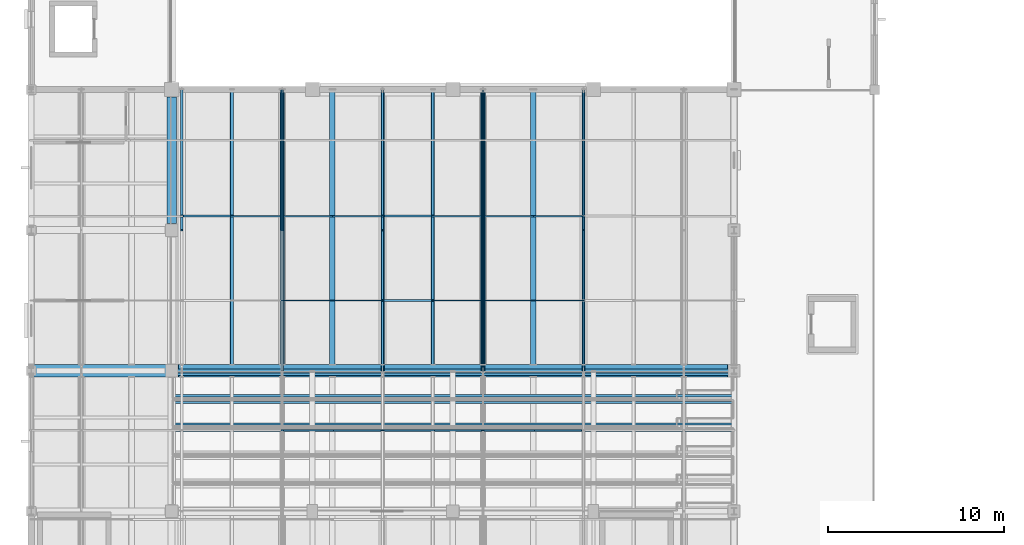
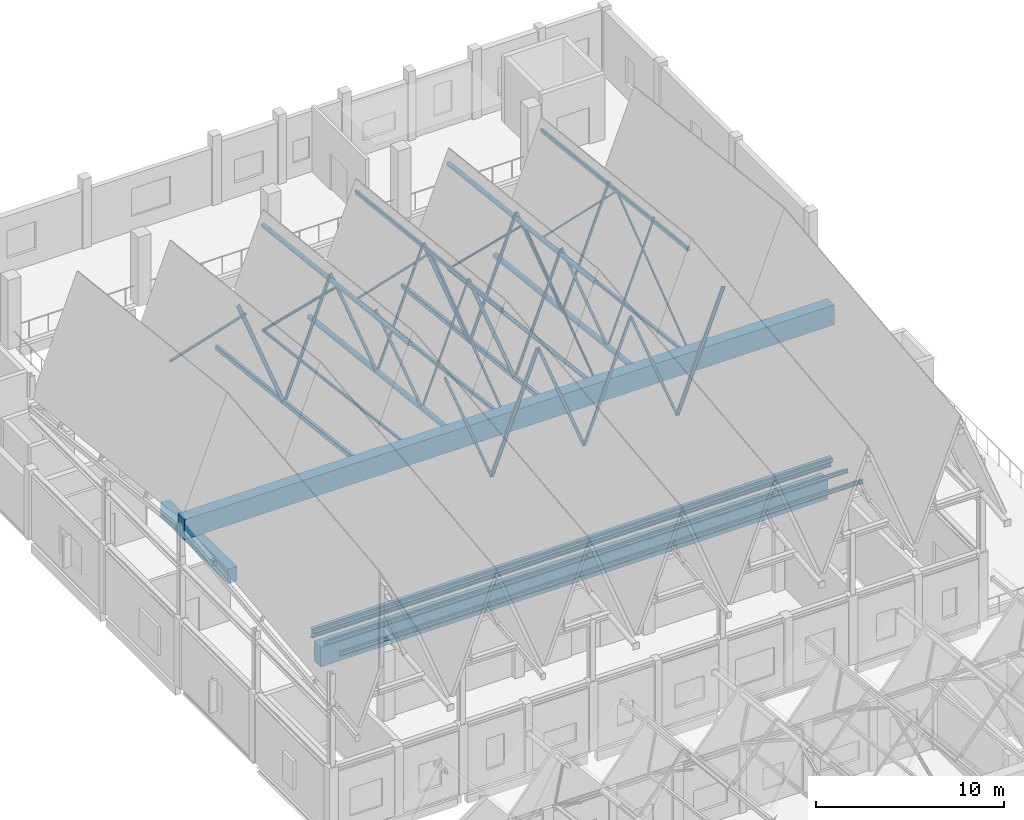
# One storey, part 17 of 77: 32 members, 17 beams.
"""IFC4 building model written with IfcOpenShell, lengths in metres."""

from ifc_helpers import new_model, si_unit, direction, frame, origin, origin_2d, place, context, subcontext, project, spatial, rectangle, hollow_rectangle, hollow_circle, i_section, extrude, material, material_profile, profile_set, type_object, element, save


model = new_model("IFC4")

# Units and contexts
model_context = context("Model", 3, precision=1e-05, world=origin(), true_north=direction((0.0, 1.0)))
body_context = subcontext(model_context, "Body", "Model", "MODEL_VIEW")
ifc_project = project(units=[si_unit("LENGTHUNIT", "METRE"), si_unit("AREAUNIT", "SQUARE_METRE"), si_unit("VOLUMEUNIT", "CUBIC_METRE"), si_unit("PLANEANGLEUNIT", "RADIAN"), si_unit("MASSUNIT", "GRAM", prefix="KILO")], contexts=[model_context])

# Site, building, storey
site_placement = place(None, origin())
site = spatial("IfcSite", under=ifc_project, at=site_placement, CompositionType="ELEMENT")
building_placement = place(site_placement, origin())
building = spatial("IfcBuilding", under=site, at=building_placement, Name="Luwemba Playhouse", CompositionType="ELEMENT")
storey_placement = place(building_placement, frame((0.0, 0.0, 9.300048828125)))
storey = spatial("IfcBuildingStorey", under=building, at=storey_placement, Name="L02", CompositionType="ELEMENT", Elevation=9.300048828125)

# Beams
ifc_material_1 = material(Name="Concrete C40/50", Category="concrete")
ifc_material_profile_1 = material_profile(ifc_material_1, rectangle(XDim=0.550048828125, YDim=0.949951171875, at=origin_2d()))
ifc_profile_set_1 = profile_set([ifc_material_profile_1], Name="Concrete C40/50")
beam_type_1 = type_object("IfcBeamType", Name="BM-RB08", PredefinedType="BEAM", material=ifc_profile_set_1)
beam_1_placement = place(storey_placement, frame((12.0, 60.375, -0.72509765625), z_axis=(0.0, 1.0, 0.0), x_axis=(-1.0, 0.0, 0.0)))
element("IfcBeam", 1, at=beam_1_placement, inside=storey, type_object=beam_type_1, Name="L02 transverse girder 0661", PredefinedType="BEAM", context=body_context, shape_type="SweptSolid", body=[
    extrude(rectangle(XDim=0.550048828125, YDim=0.949951171875, at=origin_2d()), origin(), (0.0, 0.0, 1.0), 7.199951171875),
])
ifc_material_profile_2 = material_profile(ifc_material_1, rectangle(XDim=0.699951171875, YDim=1.300048828125, at=origin_2d()))
ifc_profile_set_2 = profile_set([ifc_material_profile_2], Name="Concrete C40/50")
beam_type_2 = type_object("IfcBeamType", Name="BM-RB12", PredefinedType="BEAM", material=ifc_profile_set_2)
beam_2_placement = place(storey_placement, frame((12.375, 52.0, -0.900146484375), z_axis=(1.0, 0.0, 0.0), x_axis=(0.0, 1.0, 0.0)))
element("IfcBeam", 2, at=beam_2_placement, inside=storey, type_object=beam_type_2, Name="L02 grid girder 0651", PredefinedType="BEAM", context=body_context, shape_type="SweptSolid", body=[
    extrude(rectangle(XDim=0.699951171875, YDim=1.300048828125, at=origin_2d()), origin(), (0.0, 0.0, 1.0), 31.25),
])
beam_3_placement = place(storey_placement, frame((4.0, 52.0, 10.314697265625), z_axis=(1.0, 0.0, 0.0), x_axis=(0.0, 1.0, 0.0)))
element("IfcBeam", 3, at=beam_3_placement, inside=storey, type_object=beam_type_2, Name="RF-V1 central ridge spine girder 0021", PredefinedType="BEAM", context=body_context, shape_type="SweptSolid", body=[
    extrude(rectangle(XDim=0.699951171875, YDim=1.300048828125, at=origin_2d()), origin(), (0.0, 0.0, 1.0), 40.0),
])
ifc_material_2 = material(Name="Steel S355", Category="steel")
ifc_material_profile_3 = material_profile(ifc_material_2, hollow_rectangle(XDim=0.14990234375, YDim=0.25, WallThickness=0.010009765625, InnerFilletRadius=0.014892578125, OuterFilletRadius=0.02490234375, at=origin_2d()))
ifc_profile_set_3 = profile_set([ifc_material_profile_3], Name="Steel S355")
beam_type_3 = type_object("IfcBeamType", Name="BM-RTG1", PredefinedType="USERDEFINED", material=ifc_profile_set_3)
for number, where, z_axis, x_axis, name in (
    (4, (24.0, 52.35009765625, 17.16748046875), (0.0, 0.993768247759, -0.111466002643), (-1.0, 0.0, 0.0), "ROOF TRUSS ridge girder 0037"),
    (5, (35.4287109375, 52.35009765625, 17.16748046875), (0.0, 0.993768247759, -0.111466002643), (-1.0, 0.0, 0.0), "ROOF TRUSS ridge girder 0045"),
):
    element("IfcBeam", number, at=place(storey_placement, frame(where, z_axis=z_axis, x_axis=x_axis)), inside=storey, type_object=beam_type_3, Name=name, ObjectType="ROOF TRUSS", PredefinedType="USERDEFINED", context=body_context, shape_type="SweptSolid", body=[
        extrude(hollow_rectangle(XDim=0.14990234375, YDim=0.25, WallThickness=0.010009765625, InnerFilletRadius=0.014892578125, OuterFilletRadius=0.02490234375, at=origin_2d()), origin(), (0.0, 0.0, 1.0), 15.748046875),
    ])
ifc_material_profile_4 = material_profile(ifc_material_2, hollow_rectangle(XDim=0.199951171875, YDim=0.300048828125, WallThickness=0.012451171875, InnerFilletRadius=0.018798828125, OuterFilletRadius=0.03125, at=origin_2d()))
ifc_profile_set_4 = profile_set([ifc_material_profile_4], Name="Steel S355")
beam_type_4 = type_object("IfcBeamType", Name="BM-RTG2", PredefinedType="USERDEFINED", material=ifc_profile_set_4)
for number, where, z_axis, x_axis, name in (
    (6, (15.4287109375, 52.35009765625, 10.04541015625), (0.0, 0.993768247759, -0.111466002643), (-1.0, 0.0, 0.0), "ROOF TRUSS valley girder 0031"),
    (7, (26.857177734375, 52.35009765625, 10.045166015625), (0.0, 0.993768247759, -0.111466002643), (-1.0, 0.0, 0.0), "ROOF TRUSS valley girder 0039"),
):
    element("IfcBeam", number, at=place(storey_placement, frame(where, z_axis=z_axis, x_axis=x_axis)), inside=storey, type_object=beam_type_4, Name=name, ObjectType="ROOF TRUSS", PredefinedType="USERDEFINED", context=body_context, shape_type="SweptSolid", body=[
        extrude(hollow_rectangle(XDim=0.199951171875, YDim=0.300048828125, WallThickness=0.012451171875, InnerFilletRadius=0.018798828125, OuterFilletRadius=0.03125, at=origin_2d()), origin(), (0.0, 0.0, 1.0), 15.748046875),
    ])
ifc_material_profile_5 = material_profile(ifc_material_2, hollow_circle(Radius=0.136474609375, WallThickness=0.012451171875, at=origin_2d()))
ifc_profile_set_5 = profile_set([ifc_material_profile_5], Name="Steel S355")
beam_type_5 = type_object("IfcBeamType", Name="BM-RTG3", PredefinedType="USERDEFINED", material=ifc_profile_set_5)
for number, where, z_axis, x_axis, name in (
    (8, (18.28564453125, 52.35009765625, 16.996826171875), (0.0, 0.993766530365, -0.111481312905), (-1.0, 0.0, 0.0), "ROOF TRUSS ridge girder 0033"),
    (9, (29.71435546875, 52.35009765625, 16.99658203125), (0.0, 0.993768247759, -0.111466002643), (-1.0, 0.0, 0.0), "ROOF TRUSS ridge girder 0041"),
):
    element("IfcBeam", number, at=place(storey_placement, frame(where, z_axis=z_axis, x_axis=x_axis)), inside=storey, type_object=beam_type_5, Name=name, ObjectType="ROOF TRUSS", PredefinedType="USERDEFINED", context=body_context, shape_type="SweptSolid", body=[
        extrude(hollow_circle(Radius=0.136474609375, WallThickness=0.012451171875, at=origin_2d()), origin(), (0.0, 0.0, 1.0), 15.748046875),
    ])
ifc_material_profile_6 = material_profile(ifc_material_2, hollow_circle(Radius=0.161865234375, WallThickness=0.01611328125, at=origin_2d()))
ifc_profile_set_6 = profile_set([ifc_material_profile_6], Name="Steel S355")
beam_type_6 = type_object("IfcBeamType", Name="BM-RTG4", PredefinedType="USERDEFINED", material=ifc_profile_set_6)
for number, where, z_axis, x_axis, name in (
    (10, (21.142822265625, 52.35009765625, 10.033447265625), (0.0, 0.993768247759, -0.111466002643), (-1.0, 0.0, 0.0), "ROOF TRUSS valley girder 0035"),
    (11, (32.5712890625, 52.35009765625, 10.033447265625), (0.0, 0.993766530365, -0.111481312905), (-1.0, 0.0, 0.0), "ROOF TRUSS valley girder 0043"),
):
    element("IfcBeam", number, at=place(storey_placement, frame(where, z_axis=z_axis, x_axis=x_axis)), inside=storey, type_object=beam_type_6, Name=name, ObjectType="ROOF TRUSS", PredefinedType="USERDEFINED", context=body_context, shape_type="SweptSolid", body=[
        extrude(hollow_circle(Radius=0.161865234375, WallThickness=0.01611328125, at=origin_2d()), origin(), (0.0, 0.0, 1.0), 15.748046875),
    ])
ifc_material_profile_7 = material_profile(ifc_material_2, i_section(OverallWidth=0.219970703125, OverallDepth=0.60009765625, WebThickness=0.011962890625, FlangeThickness=0.01904296875, FilletRadius=0.02392578125, at=origin_2d()))
ifc_profile_set_7 = profile_set([ifc_material_profile_7], Name="Steel S355")
beam_type_7 = type_object("IfcBeamType", Name="BM-SB08", PredefinedType="BEAM", material=ifc_profile_set_7)
beam_4_placement = place(storey_placement, frame((12.0, 52.0, 0.599853515625), z_axis=(1.0, 0.0, 0.0), x_axis=(0.0, 1.0, 0.0)))
element("IfcBeam", 12, at=beam_4_placement, inside=storey, type_object=beam_type_7, Name="L02 Upper Circle raker front support girder", PredefinedType="BEAM", context=body_context, shape_type="SweptSolid", body=[
    extrude(i_section(OverallWidth=0.219970703125, OverallDepth=0.60009765625, WebThickness=0.011962890625, FlangeThickness=0.01904296875, FilletRadius=0.02392578125, at=origin_2d()), origin(), (0.0, 0.0, 1.0), 32.0),
])
ifc_material_profile_8 = material_profile(ifc_material_2, i_section(OverallWidth=0.1201171875, OverallDepth=0.239990234375, WebThickness=0.006103515625, FlangeThickness=0.009765625, FilletRadius=0.014892578125, at=origin_2d()))
ifc_profile_set_8 = profile_set([ifc_material_profile_8], Name="Steel S355")
beam_type_8 = type_object("IfcBeamType", Name="BM-SJ03", PredefinedType="JOIST", material=ifc_profile_set_8)
for number, where, z_axis, x_axis, name in (
    (13, (12.0, 48.60009765625, 1.344970703125), (1.0, 0.0, 0.0), (0.0, 1.0, 0.0), "Stand Upper Circle step bearer 15-2"),
    (14, (12.0, 48.97998046875, 1.06494140625), (1.0, 0.0, 0.0), (0.0, 1.0, 0.0), "Stand Upper Circle step bearer 16-1"),
    (15, (12.0, 50.199951171875, 1.06494140625), (1.0, 0.0, 0.0), (0.0, 1.0, 0.0), "Stand Upper Circle step bearer 16-2"),
    (16, (12.0, 50.580078125, 0.784912109375), (1.0, 0.0, 0.0), (0.0, 1.0, 0.0), "Stand Upper Circle step bearer 17-1"),
    (17, (12.0, 51.800048828125, 0.784912109375), (1.0, 0.0, 0.0), (0.0, 1.0, 0.0), "Stand Upper Circle step bearer 17-2"),
):
    element("IfcBeam", number, at=place(storey_placement, frame(where, z_axis=z_axis, x_axis=x_axis)), inside=storey, type_object=beam_type_8, Name=name, PredefinedType="JOIST", context=body_context, shape_type="SweptSolid", body=[
        extrude(i_section(OverallWidth=0.1201171875, OverallDepth=0.239990234375, WebThickness=0.006103515625, FlangeThickness=0.009765625, FilletRadius=0.014892578125, at=origin_2d()), origin(), (0.0, 0.0, 1.0), 32.0),
    ])

# Members
ifc_material_profile_9 = material_profile(ifc_material_2, hollow_circle(Radius=0.06982421875, WallThickness=0.008056640625, at=origin_2d()))
ifc_profile_set_9 = profile_set([ifc_material_profile_9], Name="Steel S355")
member_type_1 = type_object("IfcMemberType", Name="MEM-MB01", PredefinedType="BRACE", material=ifc_profile_set_9)
member_1_placement = place(storey_placement, frame((29.71435546875, 52.0, 10.314697265625), z_axis=(0.0, 0.8084575316, 0.5885545171), x_axis=(-1.0, 0.0, 0.0)))
element("IfcMember", 18, at=member_1_placement, inside=storey, type_object=member_type_1, Name="ROOF TRUSS web diagonal 0029", PredefinedType="BRACE", context=body_context, shape_type="SweptSolid", body=[
    extrude(hollow_circle(Radius=0.06982421875, WallThickness=0.008056640625, at=origin_2d()), origin(), (0.0, 0.0, 1.0), 9.8955078125),
])
member_2_placement = place(storey_placement, frame((29.71435546875, 68.0, 8.39990234375), z_axis=(0.0, -0.718744269729, 0.695274531917), x_axis=(1.0, 0.0, 0.0)))
element("IfcMember", 19, at=member_2_placement, inside=storey, type_object=member_type_1, Name="ROOF TRUSS web diagonal 0030", PredefinedType="BRACE", context=body_context, shape_type="SweptSolid", body=[
    extrude(hollow_circle(Radius=0.06982421875, WallThickness=0.008056640625, at=origin_2d()), origin(), (0.0, 0.0, 1.0), 11.130615234375),
])
ifc_material_profile_10 = material_profile(ifc_material_2, hollow_circle(Radius=0.084228515625, WallThickness=0.008056640625, at=origin_2d()))
ifc_profile_set_10 = profile_set([ifc_material_profile_10], Name="Steel S355")
member_type_2 = type_object("IfcMemberType", Name="MEM-MB02", PredefinedType="BRACE", material=ifc_profile_set_10)
member_3_placement = place(storey_placement, frame((18.28564453125, 68.0, 8.39990234375), z_axis=(0.0, -0.718744269729, 0.695274531917), x_axis=(1.0, 0.0, 0.0)))
element("IfcMember", 20, at=member_3_placement, inside=storey, type_object=member_type_2, Name="ROOF TRUSS web diagonal 0018", PredefinedType="BRACE", context=body_context, shape_type="SweptSolid", body=[
    extrude(hollow_circle(Radius=0.084228515625, WallThickness=0.008056640625, at=origin_2d()), origin(), (0.0, 0.0, 1.0), 11.130615234375),
])
ifc_material_profile_11 = material_profile(ifc_material_2, hollow_rectangle(XDim=0.10009765625, YDim=0.10009765625, WallThickness=0.00634765625, InnerFilletRadius=0.009521484375, OuterFilletRadius=0.015869140625, at=origin_2d()))
ifc_profile_set_11 = profile_set([ifc_material_profile_11], Name="Steel S355")
member_type_3 = type_object("IfcMemberType", Name="MEM-MB05", PredefinedType="BRACE", material=ifc_profile_set_11)
member_4_placement = place(storey_placement, frame((35.4287109375, 52.0, 10.314697265625), z_axis=(0.0, 0.800246102123, 0.59967172356), x_axis=(-1.0, 0.0, 0.0)))
element("IfcMember", 21, at=member_4_placement, inside=storey, type_object=member_type_3, Name="ROOF TRUSS web diagonal 0035", PredefinedType="BRACE", context=body_context, shape_type="SweptSolid", body=[
    extrude(hollow_rectangle(XDim=0.10009765625, YDim=0.10009765625, WallThickness=0.00634765625, InnerFilletRadius=0.009521484375, OuterFilletRadius=0.015869140625, at=origin_2d()), origin(), (0.0, 0.0, 1.0), 9.996826171875),
])
member_5_placement = place(storey_placement, frame((35.4287109375, 68.0, 8.39990234375), z_axis=(0.0, -0.71111013522, 0.703080632351), x_axis=(1.0, 0.0, 0.0)))
element("IfcMember", 22, at=member_5_placement, inside=storey, type_object=member_type_3, Name="ROOF TRUSS web diagonal 0036", PredefinedType="BRACE", context=body_context, shape_type="SweptSolid", body=[
    extrude(hollow_rectangle(XDim=0.10009765625, YDim=0.10009765625, WallThickness=0.00634765625, InnerFilletRadius=0.009521484375, OuterFilletRadius=0.015869140625, at=origin_2d()), origin(), (0.0, 0.0, 1.0), 11.25),
])
ifc_material_profile_12 = material_profile(ifc_material_2, hollow_rectangle(XDim=0.1201171875, YDim=0.1201171875, WallThickness=0.008056640625, InnerFilletRadius=0.011962890625, OuterFilletRadius=0.02001953125, at=origin_2d()))
ifc_profile_set_12 = profile_set([ifc_material_profile_12], Name="Steel S355")
member_type_4 = type_object("IfcMemberType", Name="MEM-MB06", PredefinedType="BRACE", material=ifc_profile_set_12)
member_6_placement = place(storey_placement, frame((24.0, 52.0, 10.314697265625), z_axis=(0.0, 0.800246102123, 0.59967172356), x_axis=(-1.0, 0.0, 0.0)))
element("IfcMember", 23, at=member_6_placement, inside=storey, type_object=member_type_4, Name="ROOF TRUSS web diagonal 0023", PredefinedType="BRACE", context=body_context, shape_type="SweptSolid", body=[
    extrude(hollow_rectangle(XDim=0.1201171875, YDim=0.1201171875, WallThickness=0.008056640625, InnerFilletRadius=0.011962890625, OuterFilletRadius=0.02001953125, at=origin_2d()), origin(), (0.0, 0.0, 1.0), 9.996826171875),
])
member_7_placement = place(storey_placement, frame((24.0, 68.0, 8.39990234375), z_axis=(0.0, -0.71111013522, 0.703080632351), x_axis=(1.0, 0.0, 0.0)))
element("IfcMember", 24, at=member_7_placement, inside=storey, type_object=member_type_4, Name="ROOF TRUSS web diagonal 0024", PredefinedType="BRACE", context=body_context, shape_type="SweptSolid", body=[
    extrude(hollow_rectangle(XDim=0.1201171875, YDim=0.1201171875, WallThickness=0.008056640625, InnerFilletRadius=0.011962890625, OuterFilletRadius=0.02001953125, at=origin_2d()), origin(), (0.0, 0.0, 1.0), 11.25),
])
ifc_material_profile_13 = material_profile(ifc_material_2, hollow_rectangle(XDim=0.139892578125, YDim=0.139892578125, WallThickness=0.008056640625, InnerFilletRadius=0.011962890625, OuterFilletRadius=0.02001953125, at=origin_2d()))
ifc_profile_set_13 = profile_set([ifc_material_profile_13], Name="Steel S355")
member_type_5 = type_object("IfcMemberType", Name="MEM-MB07", PredefinedType="BRACE", material=ifc_profile_set_13)
member_8_placement = place(storey_placement, frame((12.5712890625, 68.0, 8.39990234375), z_axis=(0.0, -0.71111013522, 0.703080632351), x_axis=(1.0, 0.0, 0.0)))
element("IfcMember", 25, at=member_8_placement, inside=storey, type_object=member_type_5, Name="ROOF TRUSS web diagonal 0012", PredefinedType="BRACE", context=body_context, shape_type="SweptSolid", body=[
    extrude(hollow_rectangle(XDim=0.139892578125, YDim=0.139892578125, WallThickness=0.008056640625, InnerFilletRadius=0.011962890625, OuterFilletRadius=0.02001953125, at=origin_2d()), origin(), (0.0, 0.0, 1.0), 11.25),
])
ifc_material_profile_14 = material_profile(ifc_material_2, hollow_circle(Radius=0.122314453125, WallThickness=0.012451171875, at=origin_2d()))
ifc_profile_set_14 = profile_set([ifc_material_profile_14], Name="Steel S355")
member_type_6 = type_object("IfcMemberType", Name="MEM-MC01", PredefinedType="CHORD", material=ifc_profile_set_14)
member_9_placement = place(storey_placement, frame((29.71435546875, 52.0, 10.314697265625), z_axis=(0.0, 0.992914998684, -0.118826787333), x_axis=(-1.0, 0.0, 0.0)))
element("IfcMember", 26, at=member_9_placement, inside=storey, type_object=member_type_6, Name="ROOF TRUSS north bottom chord 0026", PredefinedType="CHORD", context=body_context, shape_type="SweptSolid", body=[
    extrude(hollow_circle(Radius=0.122314453125, WallThickness=0.012451171875, at=origin_2d()), origin(), (0.0, 0.0, 1.0), 16.1142578125),
])
ifc_material_profile_15 = material_profile(ifc_material_2, hollow_rectangle(XDim=0.14990234375, YDim=0.14990234375, WallThickness=0.010009765625, InnerFilletRadius=0.014892578125, OuterFilletRadius=0.02490234375, at=origin_2d()))
ifc_profile_set_15 = profile_set([ifc_material_profile_15], Name="Steel S355")
member_type_7 = type_object("IfcMemberType", Name="MEM-MC02", PredefinedType="CHORD", material=ifc_profile_set_15)
member_10_placement = place(storey_placement, frame((18.28564453125, 52.0, 10.314697265625), z_axis=(0.0, 0.992914998684, -0.118826787333), x_axis=(-1.0, 0.0, 0.0)))
element("IfcMember", 27, at=member_10_placement, inside=storey, type_object=member_type_7, Name="ROOF TRUSS north bottom chord 0014", PredefinedType="CHORD", context=body_context, shape_type="SweptSolid", body=[
    extrude(hollow_rectangle(XDim=0.14990234375, YDim=0.14990234375, WallThickness=0.010009765625, InnerFilletRadius=0.014892578125, OuterFilletRadius=0.02490234375, at=origin_2d()), origin(), (0.0, 0.0, 1.0), 16.1142578125),
])
ifc_material_profile_16 = material_profile(ifc_material_2, hollow_rectangle(XDim=0.179931640625, YDim=0.179931640625, WallThickness=0.010009765625, InnerFilletRadius=0.014892578125, OuterFilletRadius=0.02490234375, at=origin_2d()))
ifc_profile_set_16 = profile_set([ifc_material_profile_16], Name="Steel S355")
member_type_8 = type_object("IfcMemberType", Name="MEM-MC03", PredefinedType="CHORD", material=ifc_profile_set_16)
member_11_placement = place(storey_placement, frame((35.4287109375, 52.0, 10.314697265625), z_axis=(0.0, 0.992914998684, -0.118826787333), x_axis=(-1.0, 0.0, 0.0)))
element("IfcMember", 28, at=member_11_placement, inside=storey, type_object=member_type_8, Name="ROOF TRUSS north bottom chord 0032", PredefinedType="CHORD", context=body_context, shape_type="SweptSolid", body=[
    extrude(hollow_rectangle(XDim=0.179931640625, YDim=0.179931640625, WallThickness=0.010009765625, InnerFilletRadius=0.014892578125, OuterFilletRadius=0.02490234375, at=origin_2d()), origin(), (0.0, 0.0, 1.0), 16.1142578125),
])
ifc_material_profile_17 = material_profile(ifc_material_2, hollow_rectangle(XDim=0.199951171875, YDim=0.199951171875, WallThickness=0.012451171875, InnerFilletRadius=0.018798828125, OuterFilletRadius=0.03125, at=origin_2d()))
ifc_profile_set_17 = profile_set([ifc_material_profile_17], Name="Steel S355")
member_type_9 = type_object("IfcMemberType", Name="MEM-MC04", PredefinedType="CHORD", material=ifc_profile_set_17)
member_12_placement = place(storey_placement, frame((24.0, 52.0, 10.314697265625), z_axis=(0.0, 0.992914998684, -0.118826787333), x_axis=(-1.0, 0.0, 0.0)))
element("IfcMember", 29, at=member_12_placement, inside=storey, type_object=member_type_9, Name="ROOF TRUSS north bottom chord 0020", PredefinedType="CHORD", context=body_context, shape_type="SweptSolid", body=[
    extrude(hollow_rectangle(XDim=0.199951171875, YDim=0.199951171875, WallThickness=0.012451171875, InnerFilletRadius=0.018798828125, OuterFilletRadius=0.03125, at=origin_2d()), origin(), (0.0, 0.0, 1.0), 16.1142578125),
])
ifc_material_profile_18 = material_profile(ifc_material_2, hollow_rectangle(XDim=0.080078125, YDim=0.1201171875, WallThickness=0.00634765625, InnerFilletRadius=0.009521484375, OuterFilletRadius=0.015869140625, at=origin_2d()))
ifc_profile_set_18 = profile_set([ifc_material_profile_18], Name="Steel S355")
member_type_10 = type_object("IfcMemberType", Name="MEM-MP01", PredefinedType="PURLIN", material=ifc_profile_set_18)
member_13_placement = place(storey_placement, frame((21.142822265625, 56.0, 9.62744140625), z_axis=(0.359966161358, 0.0, 0.932965359849), x_axis=(0.0, 1.0, 0.0)))
element("IfcMember", 30, at=member_13_placement, inside=storey, type_object=member_type_10, Name="Pleated roof purlin 0040", PredefinedType="PURLIN", context=body_context, shape_type="SweptSolid", body=[
    extrude(hollow_rectangle(XDim=0.080078125, YDim=0.1201171875, WallThickness=0.00634765625, InnerFilletRadius=0.009521484375, OuterFilletRadius=0.015869140625, at=origin_2d()), origin(), (0.0, 0.0, 1.0), 7.937255859375),
])
member_14_placement = place(storey_placement, frame((32.5712890625, 56.0, 9.627197265625), z_axis=(0.35998260376, 0.0, 0.932959015708), x_axis=(0.0, 1.0, 0.0)))
element("IfcMember", 31, at=member_14_placement, inside=storey, type_object=member_type_10, Name="Pleated roof purlin 0064", PredefinedType="PURLIN", context=body_context, shape_type="SweptSolid", body=[
    extrude(hollow_rectangle(XDim=0.080078125, YDim=0.1201171875, WallThickness=0.00634765625, InnerFilletRadius=0.009521484375, OuterFilletRadius=0.015869140625, at=origin_2d()), origin(), (0.0, 0.0, 1.0), 7.937744140625),
])
ifc_material_profile_19 = material_profile(ifc_material_2, hollow_rectangle(XDim=0.10009765625, YDim=0.14990234375, WallThickness=0.008056640625, InnerFilletRadius=0.011962890625, OuterFilletRadius=0.02001953125, at=origin_2d()))
ifc_profile_set_19 = profile_set([ifc_material_profile_19], Name="Steel S355")
member_type_11 = type_object("IfcMemberType", Name="MEM-MP02", PredefinedType="PURLIN", material=ifc_profile_set_19)
member_15_placement = place(storey_placement, frame((18.28564453125, 48.615966796875, 17.060791015625), z_axis=(0.359955831838, 0.0, -0.932969345223), x_axis=(0.0, 1.0, 0.0)))
element("IfcMember", 32, at=member_15_placement, inside=storey, type_object=member_type_11, Name="Pleated roof purlin 0033", PredefinedType="PURLIN", context=body_context, shape_type="SweptSolid", body=[
    extrude(hollow_rectangle(XDim=0.10009765625, YDim=0.14990234375, WallThickness=0.008056640625, InnerFilletRadius=0.011962890625, OuterFilletRadius=0.02001953125, at=origin_2d()), origin(), (0.0, 0.0, 1.0), 7.9375),
])
for number, where, z_axis, x_axis, name in (
    (33, (21.142822265625, 60.800048828125, 9.048095703125), (0.359966161358, 0.0, 0.932965359849), (0.0, 1.0, 0.0), "Pleated roof purlin 0041"),
    (34, (29.71435546875, 48.615966796875, 17.060791015625), (0.359939388007, 0.0, -0.932975689373), (0.0, 1.0, 0.0), "Pleated roof purlin 0057"),
):
    element("IfcMember", number, at=place(storey_placement, frame(where, z_axis=z_axis, x_axis=x_axis)), inside=storey, type_object=member_type_11, Name=name, PredefinedType="PURLIN", context=body_context, shape_type="SweptSolid", body=[
        extrude(hollow_rectangle(XDim=0.10009765625, YDim=0.14990234375, WallThickness=0.008056640625, InnerFilletRadius=0.011962890625, OuterFilletRadius=0.02001953125, at=origin_2d()), origin(), (0.0, 0.0, 1.0), 7.937255859375),
    ])
member_16_placement = place(storey_placement, frame((32.5712890625, 60.800048828125, 9.0478515625), z_axis=(0.35998260376, 0.0, 0.932959015708), x_axis=(0.0, 1.0, 0.0)))
element("IfcMember", 35, at=member_16_placement, inside=storey, type_object=member_type_11, Name="Pleated roof purlin 0065", PredefinedType="PURLIN", context=body_context, shape_type="SweptSolid", body=[
    extrude(hollow_rectangle(XDim=0.10009765625, YDim=0.14990234375, WallThickness=0.008056640625, InnerFilletRadius=0.011962890625, OuterFilletRadius=0.02001953125, at=origin_2d()), origin(), (0.0, 0.0, 1.0), 7.937744140625),
])
ifc_material_profile_20 = material_profile(ifc_material_2, hollow_rectangle(XDim=0.080078125, YDim=0.159912109375, WallThickness=0.00634765625, InnerFilletRadius=0.009521484375, OuterFilletRadius=0.015869140625, at=origin_2d()))
ifc_profile_set_20 = profile_set([ifc_material_profile_20], Name="Steel S355")
member_type_12 = type_object("IfcMemberType", Name="MEM-MP03", PredefinedType="PURLIN", material=ifc_profile_set_20)
member_17_placement = place(storey_placement, frame((18.28564453125, 56.0, 17.0126953125), z_axis=(0.359955831838, 0.0, -0.932969345223), x_axis=(0.0, 1.0, 0.0)))
element("IfcMember", 36, at=member_17_placement, inside=storey, type_object=member_type_12, Name="Pleated roof purlin 0034", PredefinedType="PURLIN", context=body_context, shape_type="SweptSolid", body=[
    extrude(hollow_rectangle(XDim=0.080078125, YDim=0.159912109375, WallThickness=0.00634765625, InnerFilletRadius=0.009521484375, OuterFilletRadius=0.015869140625, at=origin_2d()), origin(), (0.0, 0.0, 1.0), 7.9375),
])
member_18_placement = place(storey_placement, frame((29.71435546875, 56.0, 17.012451171875), z_axis=(0.359949717536, 0.0, -0.932971704204), x_axis=(0.0, 1.0, 0.0)))
element("IfcMember", 37, at=member_18_placement, inside=storey, type_object=member_type_12, Name="Pleated roof purlin 0058", PredefinedType="PURLIN", context=body_context, shape_type="SweptSolid", body=[
    extrude(hollow_rectangle(XDim=0.080078125, YDim=0.159912109375, WallThickness=0.00634765625, InnerFilletRadius=0.009521484375, OuterFilletRadius=0.015869140625, at=origin_2d()), origin(), (0.0, 0.0, 1.0), 7.93701171875),
])
ifc_material_profile_21 = material_profile(ifc_material_2, hollow_rectangle(XDim=0.10009765625, YDim=0.179931640625, WallThickness=0.008056640625, InnerFilletRadius=0.011962890625, OuterFilletRadius=0.02001953125, at=origin_2d()))
ifc_profile_set_21 = profile_set([ifc_material_profile_21], Name="Steel S355")
member_type_13 = type_object("IfcMemberType", Name="MEM-MP04", PredefinedType="PURLIN", material=ifc_profile_set_21)
member_19_placement = place(storey_placement, frame((18.28564453125, 60.800048828125, 16.438232421875), z_axis=(0.359966161358, 0.0, -0.932965359849), x_axis=(0.0, 1.0, 0.0)))
element("IfcMember", 38, at=member_19_placement, inside=storey, type_object=member_type_13, Name="Pleated roof purlin 0035", PredefinedType="PURLIN", context=body_context, shape_type="SweptSolid", body=[
    extrude(hollow_rectangle(XDim=0.10009765625, YDim=0.179931640625, WallThickness=0.008056640625, InnerFilletRadius=0.011962890625, OuterFilletRadius=0.02001953125, at=origin_2d()), origin(), (0.0, 0.0, 1.0), 7.937255859375),
])
member_20_placement = place(storey_placement, frame((26.857177734375, 48.615966796875, 9.640380859375), z_axis=(0.359955831838, 0.0, 0.932969345223), x_axis=(0.0, 1.0, 0.0)))
element("IfcMember", 39, at=member_20_placement, inside=storey, type_object=member_type_13, Name="Pleated roof purlin 0051", PredefinedType="PURLIN", context=body_context, shape_type="SweptSolid", body=[
    extrude(hollow_rectangle(XDim=0.10009765625, YDim=0.179931640625, WallThickness=0.008056640625, InnerFilletRadius=0.011962890625, OuterFilletRadius=0.02001953125, at=origin_2d()), origin(), (0.0, 0.0, 1.0), 7.9375),
])
member_21_placement = place(storey_placement, frame((29.71435546875, 60.800048828125, 16.438232421875), z_axis=(0.359939388007, 0.0, -0.932975689373), x_axis=(0.0, 1.0, 0.0)))
element("IfcMember", 40, at=member_21_placement, inside=storey, type_object=member_type_13, Name="Pleated roof purlin 0059", PredefinedType="PURLIN", context=body_context, shape_type="SweptSolid", body=[
    extrude(hollow_rectangle(XDim=0.10009765625, YDim=0.179931640625, WallThickness=0.008056640625, InnerFilletRadius=0.011962890625, OuterFilletRadius=0.02001953125, at=origin_2d()), origin(), (0.0, 0.0, 1.0), 7.937255859375),
])
ifc_material_profile_22 = material_profile(ifc_material_2, i_section(OverallWidth=0.08203125, OverallDepth=0.159912109375, WebThickness=0.0048828125, FlangeThickness=0.00732421875, FilletRadius=0.009033203125, at=origin_2d()))
ifc_profile_set_22 = profile_set([ifc_material_profile_22], Name="Steel S355")
member_type_14 = type_object("IfcMemberType", Name="MEM-MP05", PredefinedType="PURLIN", material=ifc_profile_set_22)
member_22_placement = place(storey_placement, frame((26.857177734375, 56.0, 9.6044921875), z_axis=(0.359955831838, 0.0, 0.932969345223), x_axis=(0.0, 1.0, 0.0)))
element("IfcMember", 41, at=member_22_placement, inside=storey, type_object=member_type_14, Name="Pleated roof purlin 0052", PredefinedType="PURLIN", context=body_context, shape_type="SweptSolid", body=[
    extrude(i_section(OverallWidth=0.08203125, OverallDepth=0.159912109375, WebThickness=0.0048828125, FlangeThickness=0.00732421875, FilletRadius=0.009033203125, at=origin_2d()), origin(), (0.0, 0.0, 1.0), 7.9375),
])
ifc_material_profile_23 = material_profile(ifc_material_2, i_section(OverallWidth=0.091064453125, OverallDepth=0.179931640625, WebThickness=0.00537109375, FlangeThickness=0.008056640625, FilletRadius=0.009033203125, at=origin_2d()))
ifc_profile_set_23 = profile_set([ifc_material_profile_23], Name="Steel S355")
member_type_15 = type_object("IfcMemberType", Name="MEM-MP06", PredefinedType="PURLIN", material=ifc_profile_set_23)
member_23_placement = place(storey_placement, frame((15.4287109375, 60.800048828125, 9.044677734375), z_axis=(0.359939388007, 0.0, 0.932975689373), x_axis=(0.0, 1.0, 0.0)))
element("IfcMember", 42, at=member_23_placement, inside=storey, type_object=member_type_15, Name="Pleated roof purlin 0029", PredefinedType="PURLIN", context=body_context, shape_type="SweptSolid", body=[
    extrude(i_section(OverallWidth=0.091064453125, OverallDepth=0.179931640625, WebThickness=0.00537109375, FlangeThickness=0.008056640625, FilletRadius=0.009033203125, at=origin_2d()), origin(), (0.0, 0.0, 1.0), 7.937255859375),
])
member_24_placement = place(storey_placement, frame((24.0, 48.615966796875, 17.057373046875), z_axis=(0.359976491426, 0.0, -0.932961374131), x_axis=(0.0, 1.0, 0.0)))
element("IfcMember", 43, at=member_24_placement, inside=storey, type_object=member_type_15, Name="Pleated roof purlin 0045", PredefinedType="PURLIN", context=body_context, shape_type="SweptSolid", body=[
    extrude(i_section(OverallWidth=0.091064453125, OverallDepth=0.179931640625, WebThickness=0.00537109375, FlangeThickness=0.008056640625, FilletRadius=0.009033203125, at=origin_2d()), origin(), (0.0, 0.0, 1.0), 7.93701171875),
])
member_25_placement = place(storey_placement, frame((26.857177734375, 60.800048828125, 9.04443359375), z_axis=(0.359955831838, 0.0, 0.932969345223), x_axis=(0.0, 1.0, 0.0)))
element("IfcMember", 44, at=member_25_placement, inside=storey, type_object=member_type_15, Name="Pleated roof purlin 0053", PredefinedType="PURLIN", context=body_context, shape_type="SweptSolid", body=[
    extrude(i_section(OverallWidth=0.091064453125, OverallDepth=0.179931640625, WebThickness=0.00537109375, FlangeThickness=0.008056640625, FilletRadius=0.009033203125, at=origin_2d()), origin(), (0.0, 0.0, 1.0), 7.9375),
])
ifc_material_profile_24 = material_profile(ifc_material_2, i_section(OverallWidth=0.10009765625, OverallDepth=0.199951171875, WebThickness=0.005615234375, FlangeThickness=0.008544921875, FilletRadius=0.011962890625, at=origin_2d()))
ifc_profile_set_24 = profile_set([ifc_material_profile_24], Name="Steel S355")
member_type_16 = type_object("IfcMemberType", Name="MEM-MP07", PredefinedType="PURLIN", material=ifc_profile_set_24)
member_26_placement = place(storey_placement, frame((24.0, 56.0, 16.966552734375), z_axis=(0.359976491426, 0.0, -0.932961374131), x_axis=(0.0, 1.0, 0.0)))
element("IfcMember", 45, at=member_26_placement, inside=storey, type_object=member_type_16, Name="Pleated roof purlin 0046", PredefinedType="PURLIN", context=body_context, shape_type="SweptSolid", body=[
    extrude(i_section(OverallWidth=0.10009765625, OverallDepth=0.199951171875, WebThickness=0.005615234375, FlangeThickness=0.008544921875, FilletRadius=0.011962890625, at=origin_2d()), origin(), (0.0, 0.0, 1.0), 7.93701171875),
])
ifc_material_profile_25 = material_profile(ifc_material_2, i_section(OverallWidth=0.110107421875, OverallDepth=0.219970703125, WebThickness=0.005859375, FlangeThickness=0.00927734375, FilletRadius=0.011962890625, at=origin_2d()))
ifc_profile_set_25 = profile_set([ifc_material_profile_25], Name="Steel S355")
member_type_17 = type_object("IfcMemberType", Name="MEM-MP08", PredefinedType="PURLIN", material=ifc_profile_set_25)
member_27_placement = place(storey_placement, frame((12.5712890625, 60.800048828125, 16.4052734375), z_axis=(0.359992933819, 0.0, -0.932955029785), x_axis=(0.0, 1.0, 0.0)))
element("IfcMember", 46, at=member_27_placement, inside=storey, type_object=member_type_17, Name="Pleated roof purlin 0023", PredefinedType="PURLIN", context=body_context, shape_type="SweptSolid", body=[
    extrude(i_section(OverallWidth=0.110107421875, OverallDepth=0.219970703125, WebThickness=0.005859375, FlangeThickness=0.00927734375, FilletRadius=0.011962890625, at=origin_2d()), origin(), (0.0, 0.0, 1.0), 7.9375),
])
member_28_placement = place(storey_placement, frame((21.142822265625, 48.615966796875, 9.607666015625), z_axis=(0.359966161358, 0.0, 0.932965359849), x_axis=(0.0, 1.0, 0.0)))
element("IfcMember", 47, at=member_28_placement, inside=storey, type_object=member_type_17, Name="Pleated roof purlin 0039", PredefinedType="PURLIN", context=body_context, shape_type="SweptSolid", body=[
    extrude(i_section(OverallWidth=0.110107421875, OverallDepth=0.219970703125, WebThickness=0.005859375, FlangeThickness=0.00927734375, FilletRadius=0.011962890625, at=origin_2d()), origin(), (0.0, 0.0, 1.0), 7.937255859375),
])
member_29_placement = place(storey_placement, frame((24.0, 60.800048828125, 16.4052734375), z_axis=(0.359976491426, 0.0, -0.932961374131), x_axis=(0.0, 1.0, 0.0)))
element("IfcMember", 48, at=member_29_placement, inside=storey, type_object=member_type_17, Name="Pleated roof purlin 0047", PredefinedType="PURLIN", context=body_context, shape_type="SweptSolid", body=[
    extrude(i_section(OverallWidth=0.110107421875, OverallDepth=0.219970703125, WebThickness=0.005859375, FlangeThickness=0.00927734375, FilletRadius=0.011962890625, at=origin_2d()), origin(), (0.0, 0.0, 1.0), 7.93701171875),
])
member_30_placement = place(storey_placement, frame((32.5712890625, 48.615966796875, 9.607421875), z_axis=(0.35998260376, 0.0, 0.932959015708), x_axis=(0.0, 1.0, 0.0)))
element("IfcMember", 49, at=member_30_placement, inside=storey, type_object=member_type_17, Name="Pleated roof purlin 0063", PredefinedType="PURLIN", context=body_context, shape_type="SweptSolid", body=[
    extrude(i_section(OverallWidth=0.110107421875, OverallDepth=0.219970703125, WebThickness=0.005859375, FlangeThickness=0.00927734375, FilletRadius=0.011962890625, at=origin_2d()), origin(), (0.0, 0.0, 1.0), 7.937744140625),
])

save(model, "model.ifc")
